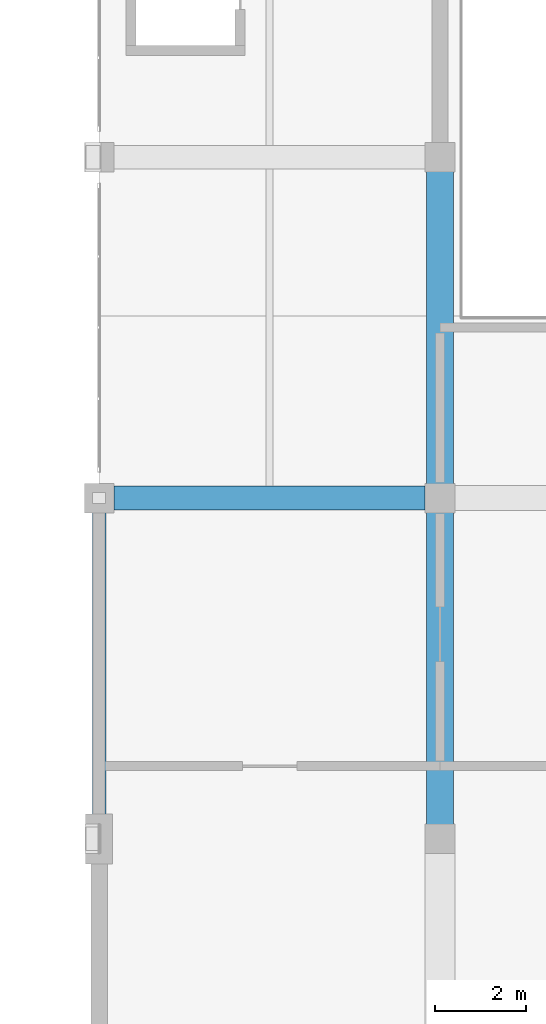
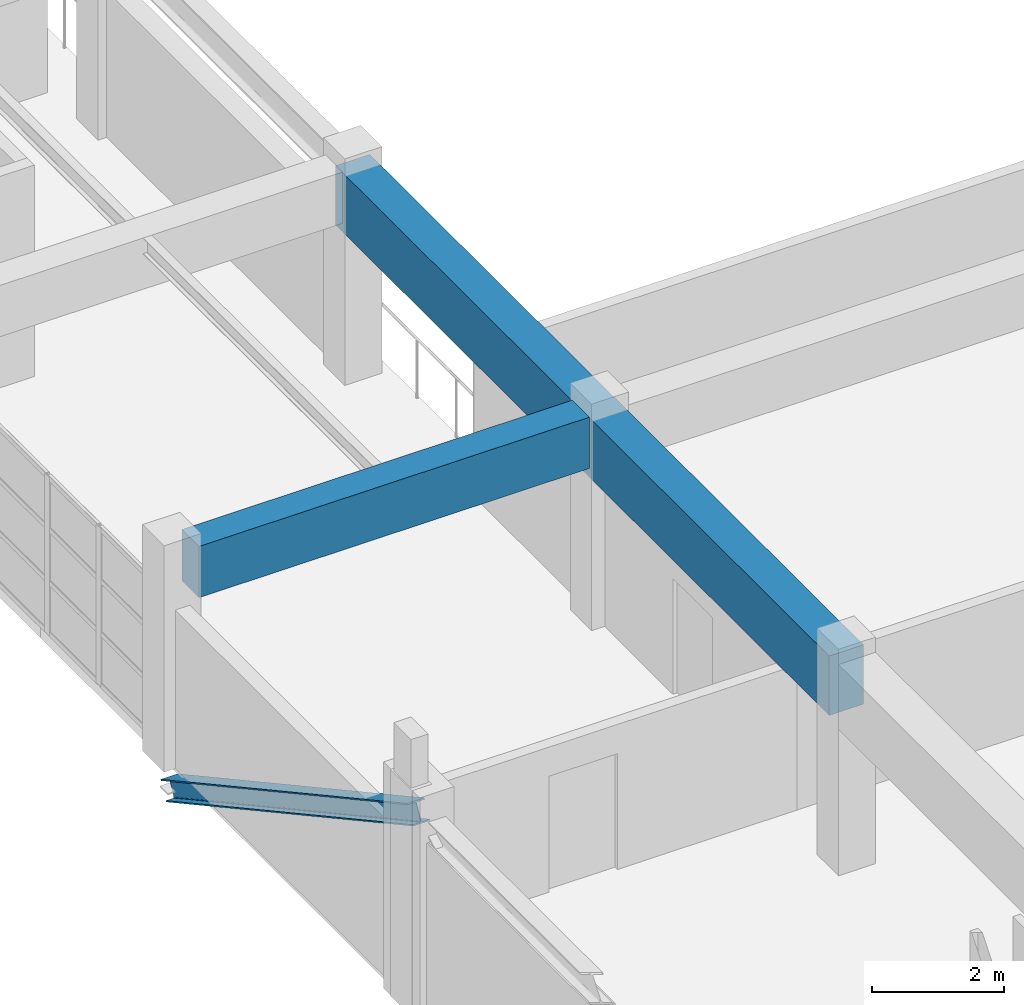
# One storey, part 3 of 51: 2 beams, 1 member.
"""IFC4 building model written with IfcOpenShell, lengths in metres."""

from ifc_helpers import new_model, si_unit, direction, frame, origin, origin_2d, place, context, subcontext, project, spatial, rectangle, i_section, extrude, material, material_profile, profile_set, type_object, element, save


model = new_model("IFC4")

# Units and contexts
model_context = context("Model", 3, precision=1e-05, world=origin(), true_north=direction((0.0, 1.0)))
body_context = subcontext(model_context, "Body", "Model", "MODEL_VIEW")
ifc_project = project(units=[si_unit("LENGTHUNIT", "METRE"), si_unit("AREAUNIT", "SQUARE_METRE"), si_unit("VOLUMEUNIT", "CUBIC_METRE"), si_unit("PLANEANGLEUNIT", "RADIAN"), si_unit("MASSUNIT", "GRAM", prefix="KILO")], contexts=[model_context])

# Site, building, storey
site_placement = place(None, origin())
site = spatial("IfcSite", under=ifc_project, at=site_placement, CompositionType="ELEMENT")
building_placement = place(site_placement, origin())
building = spatial("IfcBuilding", under=site, at=building_placement, Name="Qasida Concert Hall", CompositionType="ELEMENT")
storey_placement = place(building_placement, frame((0.0, 0.0, 21.0)))
storey = spatial("IfcBuildingStorey", under=building, at=storey_placement, Name="L05", CompositionType="ELEMENT", Elevation=21.0)

# Beams
ifc_material_1 = material(Name="Concrete C50/60", Category="concrete")
ifc_material_profile_1 = material_profile(ifc_material_1, rectangle(XDim=0.60009765625, YDim=1.10009765625, at=origin_2d()), Name="RC 600x1100")
ifc_profile_set_1 = profile_set([ifc_material_profile_1], Name="Concrete C50/60")
beam_type_1 = type_object("IfcBeamType", Name="BM-G4", PredefinedType="USERDEFINED", material=ifc_profile_set_1)
beam_1_placement = place(storey_placement, frame((60.0, 22.5, 3.320068359375), z_axis=(0.0, 1.0, 0.0), x_axis=(-1.0, 0.0, 0.0)))
element("IfcBeam", 1, at=beam_1_placement, inside=storey, type_object=beam_type_1, Name="Cantilever backspan girder CGB-029", ObjectType="GIRDER", PredefinedType="USERDEFINED", context=body_context, shape_type="SweptSolid", body=[
    extrude(rectangle(XDim=0.60009765625, YDim=1.10009765625, at=origin_2d()), origin(), (0.0, 0.0, 1.0), 15.0),
])
ifc_material_2 = material(Name="Concrete C40/50", Category="concrete")
ifc_material_profile_2 = material_profile(ifc_material_2, rectangle(XDim=0.52001953125, YDim=0.949951171875, at=origin_2d()), Name="RC 520x950")
ifc_profile_set_2 = profile_set([ifc_material_profile_2], Name="Concrete C40/50")
beam_type_2 = type_object("IfcBeamType", Name="BM-G7", PredefinedType="USERDEFINED", material=ifc_profile_set_2)
beam_2_placement = place(storey_placement, frame((52.824951171875, 30.0, 3.445068359375), z_axis=(1.0, 0.0, 0.0), x_axis=(0.0, 1.0, 0.0)))
element("IfcBeam", 2, at=beam_2_placement, inside=storey, type_object=beam_type_2, Name="Primary girder 1987", ObjectType="GIRDER", PredefinedType="USERDEFINED", context=body_context, shape_type="SweptSolid", body=[
    extrude(rectangle(XDim=0.52001953125, YDim=0.949951171875, at=origin_2d()), origin(), (0.0, 0.0, 1.0), 6.85009765625),
])

# Member
ifc_material_3 = material(Name="Steel S355J2", Category="steel")
ifc_material_profile_3 = material_profile(ifc_material_3, i_section(OverallWidth=0.300048828125, OverallDepth=0.360107421875, WebThickness=0.012451171875, FlangeThickness=0.0224609375, FilletRadius=0.027099609375, at=origin_2d()), Name="HEB 360")
ifc_profile_set_3 = profile_set([ifc_material_profile_3], Name="Steel S355J2")
member_type = type_object("IfcMemberType", Name="MB-BR1", PredefinedType="BRACE", material=ifc_profile_set_3)
member_placement = place(storey_placement, frame((52.5, 22.5, 3.5), z_axis=(0.0, 0.877443274238, -0.479680414959), x_axis=(-1.0, 0.0, 0.0)))
element("IfcMember", 3, at=member_placement, inside=storey, type_object=member_type, Name="Wall truss backspan brace WT-W-015", PredefinedType="BRACE", context=body_context, shape_type="SweptSolid", body=[
    extrude(i_section(OverallWidth=0.300048828125, OverallDepth=0.360107421875, WebThickness=0.012451171875, FlangeThickness=0.0224609375, FilletRadius=0.027099609375, at=origin_2d()), origin(), (0.0, 0.0, 1.0), 8.547607421875),
])

save(model, "model.ifc")
